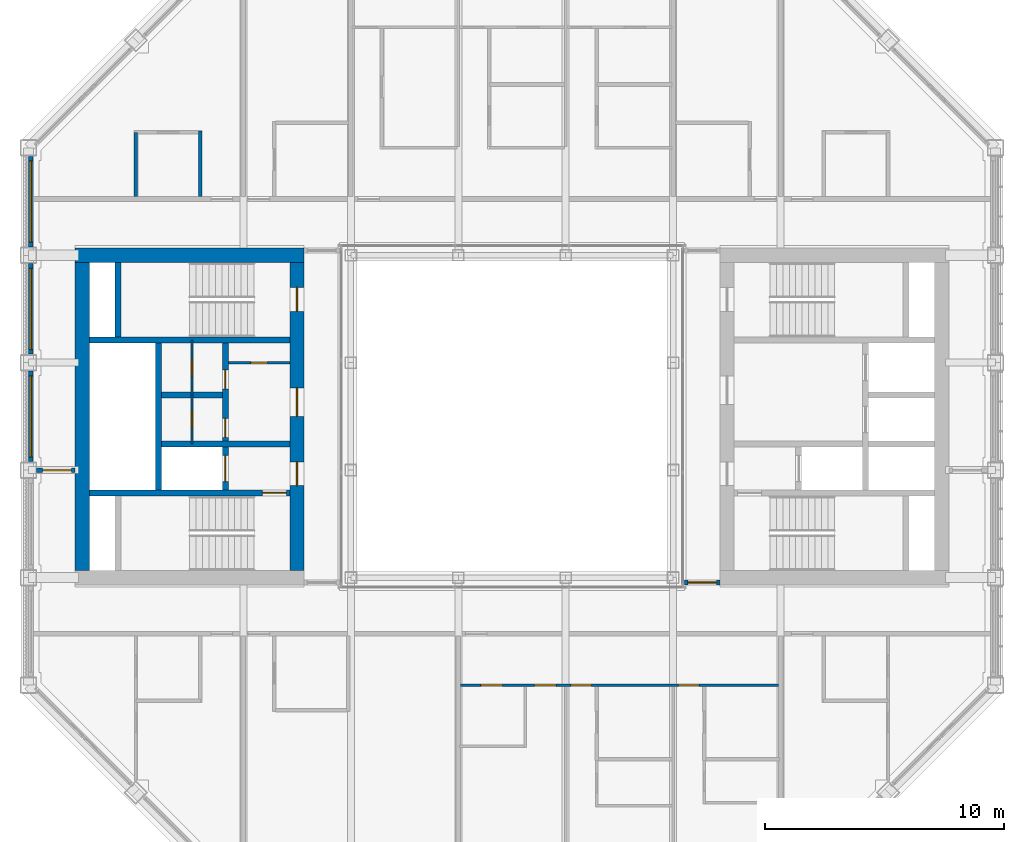
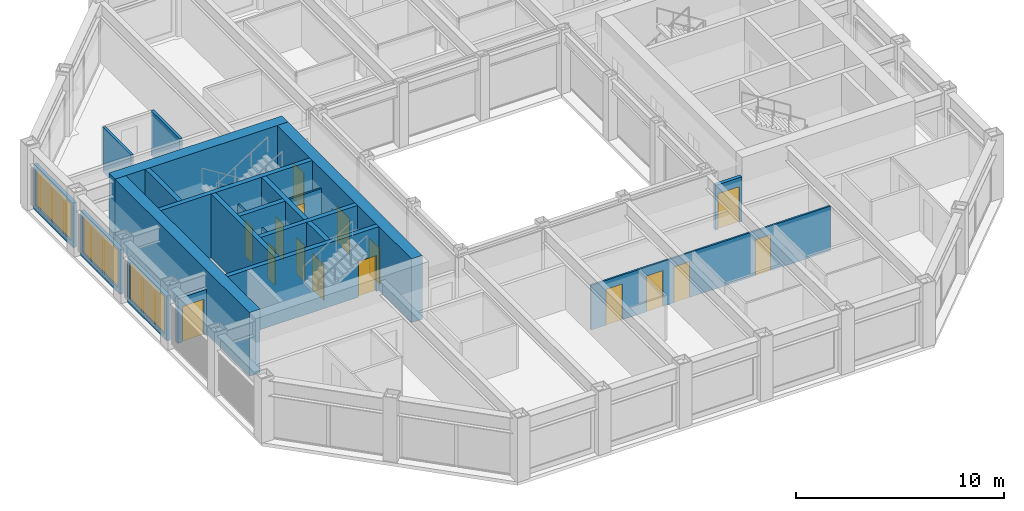
# One storey, part 10 of 17: 21 walls, 16 doors, 3 windows, 19 openings.
"""IFC4 building model written with IfcOpenShell, lengths in metres."""

from ifc_helpers import new_model, si_unit, direction, frame, frame_2d, origin, place, context, subcontext, project, spatial, rectangle, extrude, material, layer, layer_set, type_object, element, fill, save


model = new_model("IFC4")

# Units and contexts
model_context = context("Model", 3, precision=1e-05, world=origin(), true_north=direction((0.0, 1.0)))
body_context = subcontext(model_context, "Body", "Model", "MODEL_VIEW")
ifc_project = project(units=[si_unit("LENGTHUNIT", "METRE"), si_unit("AREAUNIT", "SQUARE_METRE"), si_unit("VOLUMEUNIT", "CUBIC_METRE"), si_unit("PLANEANGLEUNIT", "RADIAN"), si_unit("MASSUNIT", "GRAM", prefix="KILO")], contexts=[model_context])

# Site, building, storey
site_placement = place(None, origin())
site = spatial("IfcSite", under=ifc_project, at=site_placement, CompositionType="ELEMENT")
building_placement = place(site_placement, origin())
building = spatial("IfcBuilding", under=site, at=building_placement, Name="Msasa Ring Tower", CompositionType="ELEMENT")
storey_placement = place(building_placement, frame((0.0, 0.0, 234.550048828125)))
storey = spatial("IfcBuildingStorey", under=building, at=storey_placement, Name="L61", CompositionType="ELEMENT", Elevation=234.550048828125)

# Wall
ifc_material_1 = material(Name="Concrete C60/75", Category="concrete")
ifc_layer_1 = layer(ifc_material_1, 0.60009765625)
ifc_layer_set_1 = layer_set([ifc_layer_1], Name="CW3 CORE WALL 600")
wall_type_1 = type_object("IfcWallType", Name="CW3 CORE WALL 600", PredefinedType="SHEAR", material=ifc_layer_set_1)
wall_1_placement = place(storey_placement, frame((-8.699951171875, 6.75, 0.0), z_axis=(0.0, 0.0, 1.0), x_axis=(-1.0, 0.0, 0.0)))
element("IfcWall", 1, at=wall_1_placement, inside=storey, type_object=wall_type_1, Name="W core wall N L61", PredefinedType="SHEAR", context=body_context, shape_type="SweptSolid", body=[
    extrude(rectangle(XDim=9.60009765625, YDim=0.60009765625, at=frame_2d((4.800048828125, 0.0))), origin(), (0.0, 0.0, 1.0), 3.75),
])

# Wall, openings, doors
wall_2_placement = place(storey_placement, frame((-9.0, -6.449951171875, 0.0), z_axis=(0.0, 0.0, 1.0), x_axis=(0.0, 1.0, 0.0)))
wall_2 = element("IfcWall", 2, at=wall_2_placement, inside=storey, type_object=wall_type_1, Name="W core wall W L61", PredefinedType="SHEAR", context=body_context, shape_type="SweptSolid", body=[
    extrude(rectangle(XDim=12.89990234375, YDim=0.60009765625, at=frame_2d((6.449951171875, 0.0))), origin(), (0.0, 0.0, 1.0), 3.75),
])
opening_1_placement = place(wall_2_placement, frame((3.550048828125, 0.0, 0.0)))
opening_1 = element("IfcOpeningElement", 3, at=opening_1_placement, cuts=wall_2, Name="Opening SD-031", PredefinedType="OPENING", context=body_context, shape_type="SweptSolid", body=[
    extrude(rectangle(XDim=1.0, YDim=2.10009765625, at=frame_2d((0.5, 1.050048828125))), frame((0.0, 0.31005859375, 0.0), z_axis=(0.0, -1.0, 0.0), x_axis=(1.0, 0.0, 0.0)), (0.0, 0.0, 1.0), 0.6201171875),
])
opening_2_placement = place(wall_2_placement, frame((6.449951171875, 0.0, 0.0)))
opening_2 = element("IfcOpeningElement", 4, at=opening_2_placement, cuts=wall_2, Name="Opening SD-026", PredefinedType="OPENING", context=body_context, shape_type="SweptSolid", body=[
    extrude(rectangle(XDim=1.199951171875, YDim=2.10009765625, at=frame_2d((0.60009765625, 1.050048828125))), frame((0.0, 0.31005859375, 0.0), z_axis=(0.0, -1.0, 0.0), x_axis=(1.0, 0.0, 0.0)), (0.0, 0.0, 1.0), 0.6201171875),
])
opening_3_placement = place(wall_2_placement, frame((10.85009765625, 0.0, 0.0)))
opening_3 = element("IfcOpeningElement", 5, at=opening_3_placement, cuts=wall_2, Name="Opening SD-020", PredefinedType="OPENING", context=body_context, shape_type="SweptSolid", body=[
    extrude(rectangle(XDim=1.0, YDim=2.10009765625, at=frame_2d((0.5, 1.050048828125))), frame((0.0, 0.31005859375, 0.0), z_axis=(0.0, -1.0, 0.0), x_axis=(1.0, 0.0, 0.0)), (0.0, 0.0, 1.0), 0.6201171875),
])
ifc_material_2 = material(Name="Timber door leaf in a steel frame", Category="steel")
door_type_1 = type_object("IfcDoorType", Name="D4 LOBBY DOOR 1000x2100", OperationType="SINGLE_SWING_LEFT", PredefinedType="DOOR", material=ifc_material_2)
door_1_placement = place(opening_1_placement, origin())
door_1 = element("IfcDoor", 6, at=door_1_placement, inside=storey, type_object=door_type_1, Name="Door L61-WFFL", OperationType="SINGLE_SWING_LEFT", OverallHeight=2.10009765625, OverallWidth=1.0, PredefinedType="DOOR", context=body_context, shape_type="SweptSolid", body=[
    extrude(rectangle(XDim=1.0, YDim=2.10009765625, at=frame_2d((0.5, 1.050048828125))), frame((0.0, 0.02490234375, 0.0), z_axis=(0.0, -1.0, 0.0), x_axis=(1.0, 0.0, 0.0)), (0.0, 0.0, 1.0), 0.050048828125),
])
fill(opening_1, door_1)
ifc_material_3 = material(Name="Timber door leaf in a steel frame", Category="steel")
door_type_2 = type_object("IfcDoorType", Name="D5 WIDE LOBBY DOOR 1200x2100", OperationType="SINGLE_SWING_LEFT", PredefinedType="DOOR", material=ifc_material_3)
door_2_placement = place(opening_2_placement, origin())
door_2 = element("IfcDoor", 7, at=door_2_placement, inside=storey, type_object=door_type_2, Name="Door L61-WLL", OperationType="SINGLE_SWING_RIGHT", OverallHeight=2.10009765625, OverallWidth=1.199951171875, PredefinedType="DOOR", context=body_context, shape_type="SweptSolid", body=[
    extrude(rectangle(XDim=1.199951171875, YDim=2.10009765625, at=frame_2d((0.60009765625, 1.050048828125))), frame((0.0, 0.02490234375, 0.0), z_axis=(0.0, -1.0, 0.0), x_axis=(1.0, 0.0, 0.0)), (0.0, 0.0, 1.0), 0.050048828125),
])
fill(opening_2, door_2)
ifc_material_4 = material(Name="Timber door leaf in a steel frame", Category="steel")
door_type_3 = type_object("IfcDoorType", Name="D6 STAIR DOOR 1000x2100", OperationType="SINGLE_SWING_LEFT", PredefinedType="DOOR", material=ifc_material_4)
door_3_placement = place(opening_3_placement, origin())
door_3 = element("IfcDoor", 8, at=door_3_placement, inside=storey, type_object=door_type_3, Name="Door L61-WSTB", OperationType="SINGLE_SWING_RIGHT", OverallHeight=2.10009765625, OverallWidth=1.0, PredefinedType="DOOR", context=body_context, shape_type="SweptSolid", body=[
    extrude(rectangle(XDim=1.0, YDim=2.10009765625, at=frame_2d((0.5, 1.050048828125))), frame((0.0, 0.02490234375, 0.0), z_axis=(0.0, -1.0, 0.0), x_axis=(1.0, 0.0, 0.0)), (0.0, 0.0, 1.0), 0.050048828125),
])
fill(opening_3, door_3)

# Wall
wall_3_placement = place(storey_placement, frame((-18.0, -6.449951171875, 0.0), z_axis=(0.0, 0.0, 1.0), x_axis=(0.0, 1.0, 0.0)))
element("IfcWall", 9, at=wall_3_placement, inside=storey, type_object=wall_type_1, Name="W core wall E L61", PredefinedType="SHEAR", context=body_context, shape_type="SweptSolid", body=[
    extrude(rectangle(XDim=12.89990234375, YDim=0.60009765625, at=frame_2d((6.449951171875, 0.0))), origin(), (0.0, 0.0, 1.0), 3.75),
])

# Wall, opening, door
ifc_material_5 = material(Name="Concrete C60/75", Category="concrete")
ifc_layer_2 = layer(ifc_material_5, 0.25)
ifc_layer_set_2 = layer_set([ifc_layer_2], Name="CW4 CORE INNER WALL 250")
wall_type_2 = type_object("IfcWallType", Name="CW4 CORE INNER WALL 250", PredefinedType="SHEAR", material=ifc_layer_set_2)
wall_4_placement = place(storey_placement, frame((-9.300048828125, -3.199951171875, 0.0), z_axis=(0.0, 0.0, 1.0), x_axis=(-1.0, 0.0, 0.0)))
wall_4 = element("IfcWall", 10, at=wall_4_placement, inside=storey, type_object=wall_type_2, Name="W core wall STAIRA L61", PredefinedType="SHEAR", context=body_context, shape_type="SweptSolid", body=[
    extrude(rectangle(XDim=8.39990234375, YDim=0.25, at=frame_2d((4.199951171875, 0.0))), origin(), (0.0, 0.0, 1.0), 3.75),
])
opening_4_placement = place(wall_4_placement, frame((0.14990234375, 0.0, 0.0)))
opening_4 = element("IfcOpeningElement", 11, at=opening_4_placement, cuts=wall_4, Name="Opening SD-033", PredefinedType="OPENING", context=body_context, shape_type="SweptSolid", body=[
    extrude(rectangle(XDim=1.0, YDim=2.10009765625, at=frame_2d((0.5, 1.050048828125))), frame((0.0, 0.135009765625, 0.0), z_axis=(0.0, -1.0, 0.0), x_axis=(1.0, 0.0, 0.0)), (0.0, 0.0, 1.0), 0.27001953125),
])
door_4_placement = place(opening_4_placement, origin())
door_4 = element("IfcDoor", 12, at=door_4_placement, inside=storey, type_object=door_type_3, Name="Door L61-WSTA", OperationType="SINGLE_SWING_LEFT", OverallHeight=2.10009765625, OverallWidth=1.0, PredefinedType="DOOR", context=body_context, shape_type="SweptSolid", body=[
    extrude(rectangle(XDim=1.0, YDim=2.10009765625, at=frame_2d((0.5, 1.050048828125))), frame((0.0, 0.02490234375, 0.0), z_axis=(0.0, -1.0, 0.0), x_axis=(1.0, 0.0, 0.0)), (0.0, 0.0, 1.0), 0.050048828125),
])
fill(opening_4, door_4)

# Walls
wall_5_placement = place(storey_placement, frame((-9.300048828125, 3.199951171875, 0.0), z_axis=(0.0, 0.0, 1.0), x_axis=(-1.0, 0.0, 0.0)))
element("IfcWall", 13, at=wall_5_placement, inside=storey, type_object=wall_type_2, Name="W core wall STAIRB L61", PredefinedType="SHEAR", context=body_context, shape_type="SweptSolid", body=[
    extrude(rectangle(XDim=8.39990234375, YDim=0.25, at=frame_2d((4.199951171875, 0.0))), origin(), (0.0, 0.0, 1.0), 3.75),
])
wall_6_placement = place(storey_placement, frame((-16.5, 3.324951171875, 0.0), z_axis=(0.0, 0.0, 1.0), x_axis=(0.0, 1.0, 0.0)))
element("IfcWall", 14, at=wall_6_placement, inside=storey, type_object=wall_type_2, Name="W core wall RISERB L61", PredefinedType="SHEAR", context=body_context, shape_type="SweptSolid", body=[
    extrude(rectangle(XDim=3.125, YDim=0.25, at=frame_2d((1.5625, 0.0))), origin(), (0.0, 0.0, 1.0), 3.75),
])
wall_7_placement = place(storey_placement, frame((-9.300048828125, -1.14990234375, 0.0), z_axis=(0.0, 0.0, 1.0), x_axis=(-1.0, 0.0, 0.0)))
element("IfcWall", 15, at=wall_7_placement, inside=storey, type_object=wall_type_2, Name="W core wall FFL L61", PredefinedType="SHEAR", context=body_context, shape_type="SweptSolid", body=[
    extrude(rectangle(XDim=5.375, YDim=0.25, at=frame_2d((2.6875, 0.0))), origin(), (0.0, 0.0, 1.0), 3.75),
])

# Wall, openings, doors
wall_8_placement = place(storey_placement, frame((-12.0, -3.074951171875, 0.0), z_axis=(0.0, 0.0, 1.0), x_axis=(0.0, 1.0, 0.0)))
wall_8 = element("IfcWall", 16, at=wall_8_placement, inside=storey, type_object=wall_type_2, Name="W core wall LOBBY L61", PredefinedType="SHEAR", context=body_context, shape_type="SweptSolid", body=[
    extrude(rectangle(XDim=6.14990234375, YDim=0.25, at=frame_2d((3.074951171875, 0.0))), origin(), (0.0, 0.0, 1.0), 3.75),
])
opening_5_placement = place(wall_8_placement, frame((2.199951171875, 0.0, 0.0)))
opening_5 = element("IfcOpeningElement", 17, at=opening_5_placement, cuts=wall_8, Name="Opening SD-028", PredefinedType="OPENING", context=body_context, shape_type="SweptSolid", body=[
    extrude(rectangle(XDim=0.800048828125, YDim=2.10009765625, at=frame_2d((0.39990234375, 1.050048828125))), frame((0.0, 0.135009765625, 0.0), z_axis=(0.0, -1.0, 0.0), x_axis=(1.0, 0.0, 0.0)), (0.0, 0.0, 1.0), 0.27001953125),
])
opening_6_placement = place(wall_8_placement, frame((4.22509765625, 0.0, 0.0)))
opening_6 = element("IfcOpeningElement", 18, at=opening_6_placement, cuts=wall_8, Name="Opening SD-024", PredefinedType="OPENING", context=body_context, shape_type="SweptSolid", body=[
    extrude(rectangle(XDim=0.800048828125, YDim=2.10009765625, at=frame_2d((0.39990234375, 1.050048828125))), frame((0.0, 0.135009765625, 0.0), z_axis=(0.0, -1.0, 0.0), x_axis=(1.0, 0.0, 0.0)), (0.0, 0.0, 1.0), 0.27001953125),
])
opening_7_placement = place(wall_8_placement, frame((0.35009765625, 0.0, 0.0)))
opening_7 = element("IfcOpeningElement", 19, at=opening_7_placement, cuts=wall_8, Name="Opening LD1", PredefinedType="OPENING", context=body_context, shape_type="SweptSolid", body=[
    extrude(rectangle(XDim=1.10009765625, YDim=2.10009765625, at=frame_2d((0.550048828125, 1.050048828125))), frame((0.0, 0.135009765625, 0.0), z_axis=(0.0, -1.0, 0.0), x_axis=(1.0, 0.0, 0.0)), (0.0, 0.0, 1.0), 0.27001953125),
])
ifc_material_6 = material(Name="Timber door leaf in a steel frame", Category="steel")
door_type_4 = type_object("IfcDoorType", Name="D9 NARROW SERVICE DOOR 800x2100", OperationType="SINGLE_SWING_LEFT", PredefinedType="DOOR", material=ifc_material_6)
door_5_placement = place(opening_5_placement, origin())
door_5 = element("IfcDoor", 20, at=door_5_placement, inside=storey, type_object=door_type_4, Name="Door L61-WR1", OperationType="SINGLE_SWING_LEFT", OverallHeight=2.10009765625, OverallWidth=0.800048828125, PredefinedType="DOOR", context=body_context, shape_type="SweptSolid", body=[
    extrude(rectangle(XDim=0.800048828125, YDim=2.10009765625, at=frame_2d((0.39990234375, 1.050048828125))), frame((0.0, 0.02490234375, 0.0), z_axis=(0.0, -1.0, 0.0), x_axis=(1.0, 0.0, 0.0)), (0.0, 0.0, 1.0), 0.050048828125),
])
fill(opening_5, door_5)
door_6_placement = place(opening_6_placement, origin())
door_6 = element("IfcDoor", 21, at=door_6_placement, inside=storey, type_object=door_type_4, Name="Door L61-WR2", OperationType="SINGLE_SWING_RIGHT", OverallHeight=2.10009765625, OverallWidth=0.800048828125, PredefinedType="DOOR", context=body_context, shape_type="SweptSolid", body=[
    extrude(rectangle(XDim=0.800048828125, YDim=2.10009765625, at=frame_2d((0.39990234375, 1.050048828125))), frame((0.0, 0.02490234375, 0.0), z_axis=(0.0, -1.0, 0.0), x_axis=(1.0, 0.0, 0.0)), (0.0, 0.0, 1.0), 0.050048828125),
])
fill(opening_6, door_6)
ifc_material_7 = material(Name="Stainless steel lift landing door", Category="steel")
door_type_5 = type_object("IfcDoorType", Name="LD1 LIFT LANDING DOOR 1100x2100", OperationType="DOUBLE_DOOR_SLIDING", PredefinedType="DOOR", material=ifc_material_7)
door_7_placement = place(opening_7_placement, origin())
door_7 = element("IfcDoor", 22, at=door_7_placement, inside=storey, type_object=door_type_5, Name="Lift landing door FL-W L61", OperationType="DOUBLE_DOOR_SLIDING", OverallHeight=2.10009765625, OverallWidth=1.10009765625, PredefinedType="DOOR", context=body_context, shape_type="SweptSolid", body=[
    extrude(rectangle(XDim=1.10009765625, YDim=2.10009765625, at=frame_2d((0.550048828125, 1.050048828125))), frame((0.0, 0.02490234375, 0.0), z_axis=(0.0, -1.0, 0.0), x_axis=(1.0, 0.0, 0.0)), (0.0, 0.0, 1.0), 0.050048828125),
])
fill(opening_7, door_7)

# Walls
wall_9_placement = place(storey_placement, frame((-14.800048828125, -3.074951171875, 0.0), z_axis=(0.0, 0.0, 1.0), x_axis=(0.0, 1.0, 0.0)))
element("IfcWall", 23, at=wall_9_placement, inside=storey, type_object=wall_type_2, Name="W core wall SHAFT L61", PredefinedType="SHEAR", context=body_context, shape_type="SweptSolid", body=[
    extrude(rectangle(XDim=6.14990234375, YDim=0.25, at=frame_2d((3.074951171875, 0.0))), origin(), (0.0, 0.0, 1.0), 3.75),
])
wall_10_placement = place(storey_placement, frame((-12.125, 0.89990234375, 0.0), z_axis=(0.0, 0.0, 1.0), x_axis=(-1.0, 0.0, 0.0)))
element("IfcWall", 24, at=wall_10_placement, inside=storey, type_object=wall_type_2, Name="W core wall LIFT1 L61", PredefinedType="SHEAR", context=body_context, shape_type="SweptSolid", body=[
    extrude(rectangle(XDim=2.550048828125, YDim=0.25, at=frame_2d((1.27490234375, 0.0))), origin(), (0.0, 0.0, 1.0), 3.75),
])

# Wall, opening, window
ifc_material_8 = material(Name="Terracotta rainscreen on blockwork", Category="masonry")
ifc_layer_3 = layer(ifc_material_8, 0.199951171875)
ifc_layer_set_3 = layer_set([ifc_layer_3], Name="FW1 TERRACOTTA-LINED INFILL BAY WALL 200")
wall_type_3 = type_object("IfcWallType", Name="FW1 TERRACOTTA-LINED INFILL BAY WALL 200", PredefinedType="SOLIDWALL", material=ifc_layer_set_3)
wall_11_placement = place(storey_placement, frame((-20.14990234375, -1.89501953125, 0.0), z_axis=(0.0, 0.0, 1.0), x_axis=(0.0, 1.0, 0.0)))
wall_11 = element("IfcWall", 25, at=wall_11_placement, inside=storey, type_object=wall_type_3, Name="Infill bay wall W L61 23", PredefinedType="SOLIDWALL", context=body_context, shape_type="SweptSolid", body=[
    extrude(rectangle(XDim=3.7900390625, YDim=0.199951171875, at=frame_2d((1.89501953125, 0.0))), origin(), (0.0, 0.0, 1.0), 2.62890625),
])
opening_8_placement = place(wall_11_placement, frame((0.195068359375, 0.0, 0.300048828125)))
opening_8 = element("IfcOpeningElement", 26, at=opening_8_placement, cuts=wall_11, Name="Opening WN3", PredefinedType="OPENING", context=body_context, shape_type="SweptSolid", body=[
    extrude(rectangle(XDim=3.39990234375, YDim=2.178955078125, at=frame_2d((1.699951171875, 1.08935546875))), frame((0.0, 0.10986328125, 0.0), z_axis=(0.0, -1.0, 0.0), x_axis=(1.0, 0.0, 0.0)), (0.0, 0.0, 1.0), 0.219970703125),
])
ifc_material_9 = material(Name="Aluminium frame with clear glass", Category="aluminium")
window_type = type_object("IfcWindowType", Name="WN3 SUITE WINDOW 3400x2179", PartitioningType="SINGLE_PANEL", PredefinedType="WINDOW", material=ifc_material_9)
window_1_placement = place(opening_8_placement, origin())
window_1 = element("IfcWindow", 27, at=window_1_placement, inside=storey, type_object=window_type, Name="Window W L61 23", OverallHeight=2.178955078125, OverallWidth=3.39990234375, PartitioningType="SINGLE_PANEL", PredefinedType="WINDOW", context=body_context, shape_type="SweptSolid", body=[
    extrude(rectangle(XDim=3.39990234375, YDim=2.178955078125, at=frame_2d((1.699951171875, 1.08935546875))), frame((0.0, 0.030029296875, 0.0), z_axis=(0.0, -1.0, 0.0), x_axis=(1.0, 0.0, 0.0)), (0.0, 0.0, 1.0), 0.06005859375),
])
fill(opening_8, window_1)

wall_12_placement = place(storey_placement, frame((-20.14990234375, 2.60498046875, 0.0), z_axis=(0.0, 0.0, 1.0), x_axis=(0.0, 1.0, 0.0)))
wall_12 = element("IfcWall", 28, at=wall_12_placement, inside=storey, type_object=wall_type_3, Name="Infill bay wall W L61 24", PredefinedType="SOLIDWALL", context=body_context, shape_type="SweptSolid", body=[
    extrude(rectangle(XDim=3.7900390625, YDim=0.199951171875, at=frame_2d((1.89501953125, 0.0))), origin(), (0.0, 0.0, 1.0), 2.62890625),
])
opening_9_placement = place(wall_12_placement, frame((0.195068359375, 0.0, 0.300048828125)))
opening_9 = element("IfcOpeningElement", 29, at=opening_9_placement, cuts=wall_12, Name="Opening WN3", PredefinedType="OPENING", context=body_context, shape_type="SweptSolid", body=[
    extrude(rectangle(XDim=3.39990234375, YDim=2.178955078125, at=frame_2d((1.699951171875, 1.08935546875))), frame((0.0, 0.10986328125, 0.0), z_axis=(0.0, -1.0, 0.0), x_axis=(1.0, 0.0, 0.0)), (0.0, 0.0, 1.0), 0.219970703125),
])
window_2_placement = place(opening_9_placement, origin())
window_2 = element("IfcWindow", 30, at=window_2_placement, inside=storey, type_object=window_type, Name="Window W L61 24", OverallHeight=2.178955078125, OverallWidth=3.39990234375, PartitioningType="SINGLE_PANEL", PredefinedType="WINDOW", context=body_context, shape_type="SweptSolid", body=[
    extrude(rectangle(XDim=3.39990234375, YDim=2.178955078125, at=frame_2d((1.699951171875, 1.08935546875))), frame((0.0, 0.030029296875, 0.0), z_axis=(0.0, -1.0, 0.0), x_axis=(1.0, 0.0, 0.0)), (0.0, 0.0, 1.0), 0.06005859375),
])
fill(opening_9, window_2)

wall_13_placement = place(storey_placement, frame((-20.14990234375, 7.10498046875, 0.0), z_axis=(0.0, 0.0, 1.0), x_axis=(0.0, 1.0, 0.0)))
wall_13 = element("IfcWall", 31, at=wall_13_placement, inside=storey, type_object=wall_type_3, Name="Infill bay wall W L61 25", PredefinedType="SOLIDWALL", context=body_context, shape_type="SweptSolid", body=[
    extrude(rectangle(XDim=3.7900390625, YDim=0.199951171875, at=frame_2d((1.89501953125, 0.0))), origin(), (0.0, 0.0, 1.0), 2.62890625),
])
opening_10_placement = place(wall_13_placement, frame((0.195068359375, 0.0, 0.300048828125)))
opening_10 = element("IfcOpeningElement", 32, at=opening_10_placement, cuts=wall_13, Name="Opening WN3", PredefinedType="OPENING", context=body_context, shape_type="SweptSolid", body=[
    extrude(rectangle(XDim=3.39990234375, YDim=2.178955078125, at=frame_2d((1.699951171875, 1.08935546875))), frame((0.0, 0.10986328125, 0.0), z_axis=(0.0, -1.0, 0.0), x_axis=(1.0, 0.0, 0.0)), (0.0, 0.0, 1.0), 0.219970703125),
])
window_3_placement = place(opening_10_placement, origin())
window_3 = element("IfcWindow", 33, at=window_3_placement, inside=storey, type_object=window_type, Name="Window W L61 25", OverallHeight=2.178955078125, OverallWidth=3.39990234375, PartitioningType="SINGLE_PANEL", PredefinedType="WINDOW", context=body_context, shape_type="SweptSolid", body=[
    extrude(rectangle(XDim=3.39990234375, YDim=2.178955078125, at=frame_2d((1.699951171875, 1.08935546875))), frame((0.0, 0.030029296875, 0.0), z_axis=(0.0, -1.0, 0.0), x_axis=(1.0, 0.0, 0.0)), (0.0, 0.0, 1.0), 0.06005859375),
])
fill(opening_10, window_3)

# Wall, opening, door
ifc_material_10 = material(Name="Concrete blockwork", Category="masonry")
ifc_layer_4 = layer(ifc_material_10, 0.199951171875)
ifc_layer_set_4 = layer_set([ifc_layer_4], Name="PT1 CORRIDOR WALL 200")
wall_type_4 = type_object("IfcWallType", Name="PT1 CORRIDOR WALL 200", PredefinedType="PARTITIONING", material=ifc_layer_set_4)
wall_14_placement = place(storey_placement, frame((-19.89990234375, -2.25, 0.0), z_axis=(0.0, 0.0, 1.0), x_axis=(1.0, 0.0, 0.0)))
wall_14 = element("IfcWall", 34, at=wall_14_placement, inside=storey, type_object=wall_type_4, Name="Corridor wall L61-WSW", PredefinedType="PARTITIONING", context=body_context, shape_type="SweptSolid", body=[
    extrude(rectangle(XDim=1.599853515625, YDim=0.199951171875, at=frame_2d((0.7998046875, 0.0))), origin(), (0.0, 0.0, 1.0), 2.62890625),
])
opening_11_placement = place(wall_14_placement, frame((0.25, 0.0, 0.0)))
opening_11 = element("IfcOpeningElement", 35, at=opening_11_placement, cuts=wall_14, Name="Opening SD-029", PredefinedType="OPENING", context=body_context, shape_type="SweptSolid", body=[
    extrude(rectangle(XDim=1.199951171875, YDim=2.10009765625, at=frame_2d((0.60009765625, 1.050048828125))), frame((0.0, 0.10986328125, 0.0), z_axis=(0.0, -1.0, 0.0), x_axis=(1.0, 0.0, 0.0)), (0.0, 0.0, 1.0), 0.219970703125),
])
ifc_material_11 = material(Name="Timber door leaf in a steel frame", Category="steel")
door_type_6 = type_object("IfcDoorType", Name="D25 CORRIDOR PAIR OF SMOKE DOORS 1200x2100", OperationType="DOUBLE_DOOR_DOUBLE_SWING", PredefinedType="DOOR", material=ifc_material_11)
door_8_placement = place(opening_11_placement, origin())
door_8 = element("IfcDoor", 36, at=door_8_placement, inside=storey, type_object=door_type_6, Name="Door L61-WSW", OperationType="DOUBLE_DOOR_DOUBLE_SWING", OverallHeight=2.10009765625, OverallWidth=1.199951171875, PredefinedType="DOOR", context=body_context, shape_type="SweptSolid", body=[
    extrude(rectangle(XDim=1.199951171875, YDim=2.10009765625, at=frame_2d((0.60009765625, 1.050048828125))), frame((0.0, 0.02490234375, 0.0), z_axis=(0.0, -1.0, 0.0), x_axis=(1.0, 0.0, 0.0)), (0.0, 0.0, 1.0), 0.050048828125),
])
fill(opening_11, door_8)

wall_15_placement = place(storey_placement, frame((7.22998046875, -6.949951171875, 0.0), z_axis=(0.0, 0.0, 1.0), x_axis=(1.0, 0.0, 0.0)))
wall_15 = element("IfcWall", 37, at=wall_15_placement, inside=storey, type_object=wall_type_4, Name="Corridor wall L61-SDES", PredefinedType="PARTITIONING", context=body_context, shape_type="SweptSolid", body=[
    extrude(rectangle(XDim=1.469970703125, YDim=0.199951171875, at=frame_2d((0.73486328125, 0.0))), origin(), (0.0, 0.0, 1.0), 2.62890625),
])
opening_12_placement = place(wall_15_placement, frame((0.135009765625, 0.0, 0.0)))
opening_12 = element("IfcOpeningElement", 38, at=opening_12_placement, cuts=wall_15, Name="Opening SD-036", PredefinedType="OPENING", context=body_context, shape_type="SweptSolid", body=[
    extrude(rectangle(XDim=1.199951171875, YDim=2.10009765625, at=frame_2d((0.60009765625, 1.050048828125))), frame((0.0, 0.10986328125, 0.0), z_axis=(0.0, -1.0, 0.0), x_axis=(1.0, 0.0, 0.0)), (0.0, 0.0, 1.0), 0.219970703125),
])
door_9_placement = place(opening_12_placement, origin())
door_9 = element("IfcDoor", 39, at=door_9_placement, inside=storey, type_object=door_type_6, Name="Door L61-SDES", OperationType="DOUBLE_DOOR_DOUBLE_SWING", OverallHeight=2.10009765625, OverallWidth=1.199951171875, PredefinedType="DOOR", context=body_context, shape_type="SweptSolid", body=[
    extrude(rectangle(XDim=1.199951171875, YDim=2.10009765625, at=frame_2d((0.60009765625, 1.050048828125))), frame((0.0, 0.02490234375, 0.0), z_axis=(0.0, -1.0, 0.0), x_axis=(1.0, 0.0, 0.0)), (0.0, 0.0, 1.0), 0.050048828125),
])
fill(opening_12, door_9)

# Wall, openings, doors
ifc_material_12 = material(Name="Gypsum board on steel studs", Category="steel")
ifc_layer_5 = layer(ifc_material_12, 0.10009765625)
ifc_layer_set_5 = layer_set([ifc_layer_5], Name="PT2 STUD PARTITION 100")
wall_type_5 = type_object("IfcWallType", Name="PT2 STUD PARTITION 100", PredefinedType="PARTITIONING", material=ifc_layer_set_5)
wall_16_placement = place(storey_placement, frame((-2.14990234375, -11.25, 0.0), z_axis=(0.0, 0.0, 1.0), x_axis=(1.0, 0.0, 0.0)))
wall_16 = element("IfcWall", 40, at=wall_16_placement, inside=storey, type_object=wall_type_5, Name="Partition L61-JS01HY", PredefinedType="PARTITIONING", context=body_context, shape_type="SweptSolid", body=[
    extrude(rectangle(XDim=13.2998046875, YDim=0.10009765625, at=frame_2d((6.64990234375, 0.0))), origin(), (0.0, 0.0, 1.0), 2.62890625),
])
opening_13_placement = place(wall_16_placement, frame((0.85009765625, 0.0, 0.0)))
opening_13 = element("IfcOpeningElement", 41, at=opening_13_placement, cuts=wall_16, Name="Opening SD-044", PredefinedType="OPENING", context=body_context, shape_type="SweptSolid", body=[
    extrude(rectangle(XDim=0.89990234375, YDim=2.10009765625, at=frame_2d((0.449951171875, 1.050048828125))), frame((0.0, 0.06005859375, 0.0), z_axis=(0.0, -1.0, 0.0), x_axis=(1.0, 0.0, 0.0)), (0.0, 0.0, 1.0), 0.1201171875),
])
opening_14_placement = place(wall_16_placement, frame((3.10009765625, 0.0, 0.0)))
opening_14 = element("IfcOpeningElement", 42, at=opening_14_placement, cuts=wall_16, Name="Opening SD-045", PredefinedType="OPENING", context=body_context, shape_type="SweptSolid", body=[
    extrude(rectangle(XDim=0.89990234375, YDim=2.10009765625, at=frame_2d((0.449951171875, 1.050048828125))), frame((0.0, 0.06005859375, 0.0), z_axis=(0.0, -1.0, 0.0), x_axis=(1.0, 0.0, 0.0)), (0.0, 0.0, 1.0), 0.1201171875),
])
opening_15_placement = place(wall_16_placement, frame((4.625, 0.0, 0.0)))
opening_15 = element("IfcOpeningElement", 43, at=opening_15_placement, cuts=wall_16, Name="Opening SD-046", PredefinedType="OPENING", context=body_context, shape_type="SweptSolid", body=[
    extrude(rectangle(XDim=0.85009765625, YDim=2.10009765625, at=frame_2d((0.425048828125, 1.050048828125))), frame((0.0, 0.06005859375, 0.0), z_axis=(0.0, -1.0, 0.0), x_axis=(1.0, 0.0, 0.0)), (0.0, 0.0, 1.0), 0.1201171875),
])
opening_16_placement = place(wall_16_placement, frame((9.125, 0.0, 0.0)))
opening_16 = element("IfcOpeningElement", 44, at=opening_16_placement, cuts=wall_16, Name="Opening SD-047", PredefinedType="OPENING", context=body_context, shape_type="SweptSolid", body=[
    extrude(rectangle(XDim=0.85009765625, YDim=2.10009765625, at=frame_2d((0.425048828125, 1.050048828125))), frame((0.0, 0.06005859375, 0.0), z_axis=(0.0, -1.0, 0.0), x_axis=(1.0, 0.0, 0.0)), (0.0, 0.0, 1.0), 0.1201171875),
])
ifc_material_13 = material(Name="Timber door leaf in a steel frame", Category="steel")
door_type_7 = type_object("IfcDoorType", Name="D14 BEDROOM DOOR 850x2100", OperationType="SINGLE_SWING_LEFT", PredefinedType="DOOR", material=ifc_material_13)
door_10_placement = place(opening_15_placement, origin())
door_10 = element("IfcDoor", 45, at=door_10_placement, inside=storey, type_object=door_type_7, Name="Door L61-JS01R1", OperationType="SINGLE_SWING_LEFT", OverallHeight=2.10009765625, OverallWidth=0.85009765625, PredefinedType="DOOR", context=body_context, shape_type="SweptSolid", body=[
    extrude(rectangle(XDim=0.85009765625, YDim=2.10009765625, at=frame_2d((0.425048828125, 1.050048828125))), frame((0.0, 0.02490234375, 0.0), z_axis=(0.0, -1.0, 0.0), x_axis=(1.0, 0.0, 0.0)), (0.0, 0.0, 1.0), 0.050048828125),
])
fill(opening_15, door_10)
door_11_placement = place(opening_16_placement, origin())
door_11 = element("IfcDoor", 46, at=door_11_placement, inside=storey, type_object=door_type_7, Name="Door L61-JS01R2", OperationType="SINGLE_SWING_RIGHT", OverallHeight=2.10009765625, OverallWidth=0.85009765625, PredefinedType="DOOR", context=body_context, shape_type="SweptSolid", body=[
    extrude(rectangle(XDim=0.85009765625, YDim=2.10009765625, at=frame_2d((0.425048828125, 1.050048828125))), frame((0.0, 0.02490234375, 0.0), z_axis=(0.0, -1.0, 0.0), x_axis=(1.0, 0.0, 0.0)), (0.0, 0.0, 1.0), 0.050048828125),
])
fill(opening_16, door_11)
ifc_material_14 = material(Name="Timber door leaf in a steel frame", Category="steel")
door_type_8 = type_object("IfcDoorType", Name="D22 INTERNAL HALL DOOR 900x2100", OperationType="SINGLE_SWING_LEFT", PredefinedType="DOOR", material=ifc_material_14)
door_12_placement = place(opening_13_placement, origin())
door_12 = element("IfcDoor", 47, at=door_12_placement, inside=storey, type_object=door_type_8, Name="Door L61-JS01K", OperationType="SINGLE_SWING_LEFT", OverallHeight=2.10009765625, OverallWidth=0.89990234375, PredefinedType="DOOR", context=body_context, shape_type="SweptSolid", body=[
    extrude(rectangle(XDim=0.89990234375, YDim=2.10009765625, at=frame_2d((0.449951171875, 1.050048828125))), frame((0.0, 0.02490234375, 0.0), z_axis=(0.0, -1.0, 0.0), x_axis=(1.0, 0.0, 0.0)), (0.0, 0.0, 1.0), 0.050048828125),
])
fill(opening_13, door_12)
door_13_placement = place(opening_14_placement, origin())
door_13 = element("IfcDoor", 48, at=door_13_placement, inside=storey, type_object=door_type_8, Name="Door L61-JS01L", OperationType="SINGLE_SWING_LEFT", OverallHeight=2.10009765625, OverallWidth=0.89990234375, PredefinedType="DOOR", context=body_context, shape_type="SweptSolid", body=[
    extrude(rectangle(XDim=0.89990234375, YDim=2.10009765625, at=frame_2d((0.449951171875, 1.050048828125))), frame((0.0, 0.02490234375, 0.0), z_axis=(0.0, -1.0, 0.0), x_axis=(1.0, 0.0, 0.0)), (0.0, 0.0, 1.0), 0.050048828125),
])
fill(opening_14, door_13)

# Wall, opening, door
wall_17_placement = place(storey_placement, frame((-11.875, 2.25, 0.0), z_axis=(0.0, 0.0, 1.0), x_axis=(1.0, 0.0, 0.0)))
wall_17 = element("IfcWall", 49, at=wall_17_placement, inside=storey, type_object=wall_type_5, Name="Partition L61-WCP", PredefinedType="PARTITIONING", context=body_context, shape_type="SweptSolid", body=[
    extrude(rectangle(XDim=2.574951171875, YDim=0.10009765625, at=frame_2d((1.28759765625, 0.0))), origin(), (0.0, 0.0, 1.0), 2.62890625),
])
opening_17_placement = place(wall_17_placement, frame((0.9375, 0.0, 0.0)))
opening_17 = element("IfcOpeningElement", 50, at=opening_17_placement, cuts=wall_17, Name="Opening SD-022", PredefinedType="OPENING", context=body_context, shape_type="SweptSolid", body=[
    extrude(rectangle(XDim=0.699951171875, YDim=2.10009765625, at=frame_2d((0.35009765625, 1.050048828125))), frame((0.0, 0.06005859375, 0.0), z_axis=(0.0, -1.0, 0.0), x_axis=(1.0, 0.0, 0.0)), (0.0, 0.0, 1.0), 0.1201171875),
])
ifc_material_15 = material(Name="Timber door leaf in a steel frame", Category="steel")
door_type_9 = type_object("IfcDoorType", Name="D32 INTERNAL NARROW STORE DOOR 700x2100", OperationType="SINGLE_SWING_LEFT", PredefinedType="DOOR", material=ifc_material_15)
door_14_placement = place(opening_17_placement, origin())
door_14 = element("IfcDoor", 51, at=door_14_placement, inside=storey, type_object=door_type_9, Name="Door L61-WCP", OperationType="SINGLE_SWING_LEFT", OverallHeight=2.10009765625, OverallWidth=0.699951171875, PredefinedType="DOOR", context=body_context, shape_type="SweptSolid", body=[
    extrude(rectangle(XDim=0.699951171875, YDim=2.10009765625, at=frame_2d((0.35009765625, 1.050048828125))), frame((0.0, 0.02490234375, 0.0), z_axis=(0.0, -1.0, 0.0), x_axis=(1.0, 0.0, 0.0)), (0.0, 0.0, 1.0), 0.050048828125),
])
fill(opening_17, door_14)

wall_18_placement = place(storey_placement, frame((-13.39990234375, -1.14990234375, 0.0), z_axis=(0.0, 0.0, 1.0), x_axis=(0.0, 1.0, 0.0)))
wall_18 = element("IfcWall", 52, at=wall_18_placement, inside=storey, type_object=wall_type_5, Name="Partition L61-WRP1", PredefinedType="PARTITIONING", context=body_context, shape_type="SweptSolid", body=[
    extrude(rectangle(XDim=2.0498046875, YDim=0.10009765625, at=frame_2d((1.02490234375, 0.0))), origin(), (0.0, 0.0, 1.0), 2.62890625),
])
opening_18_placement = place(wall_18_placement, frame((0.675048828125, 0.0, 0.0)))
opening_18 = element("IfcOpeningElement", 53, at=opening_18_placement, cuts=wall_18, Name="Opening SD-027", PredefinedType="OPENING", context=body_context, shape_type="SweptSolid", body=[
    extrude(rectangle(XDim=0.699951171875, YDim=2.10009765625, at=frame_2d((0.35009765625, 1.050048828125))), frame((0.0, 0.06005859375, 0.0), z_axis=(0.0, -1.0, 0.0), x_axis=(1.0, 0.0, 0.0)), (0.0, 0.0, 1.0), 0.1201171875),
])
door_15_placement = place(opening_18_placement, origin())
door_15 = element("IfcDoor", 54, at=door_15_placement, inside=storey, type_object=door_type_9, Name="Door L61-WRC1", OperationType="SINGLE_SWING_LEFT", OverallHeight=2.10009765625, OverallWidth=0.699951171875, PredefinedType="DOOR", context=body_context, shape_type="SweptSolid", body=[
    extrude(rectangle(XDim=0.699951171875, YDim=2.10009765625, at=frame_2d((0.35009765625, 1.050048828125))), frame((0.0, 0.02490234375, 0.0), z_axis=(0.0, -1.0, 0.0), x_axis=(1.0, 0.0, 0.0)), (0.0, 0.0, 1.0), 0.050048828125),
])
fill(opening_18, door_15)

wall_19_placement = place(storey_placement, frame((-13.39990234375, 0.89990234375, 0.0), z_axis=(0.0, 0.0, 1.0), x_axis=(0.0, 1.0, 0.0)))
wall_19 = element("IfcWall", 55, at=wall_19_placement, inside=storey, type_object=wall_type_5, Name="Partition L61-WRP2", PredefinedType="PARTITIONING", context=body_context, shape_type="SweptSolid", body=[
    extrude(rectangle(XDim=2.300048828125, YDim=0.10009765625, at=frame_2d((1.14990234375, 0.0))), origin(), (0.0, 0.0, 1.0), 2.62890625),
])
opening_19_placement = place(wall_19_placement, frame((0.800048828125, 0.0, 0.0)))
opening_19 = element("IfcOpeningElement", 56, at=opening_19_placement, cuts=wall_19, Name="Opening SD-023", PredefinedType="OPENING", context=body_context, shape_type="SweptSolid", body=[
    extrude(rectangle(XDim=0.699951171875, YDim=2.10009765625, at=frame_2d((0.35009765625, 1.050048828125))), frame((0.0, 0.06005859375, 0.0), z_axis=(0.0, -1.0, 0.0), x_axis=(1.0, 0.0, 0.0)), (0.0, 0.0, 1.0), 0.1201171875),
])
door_16_placement = place(opening_19_placement, origin())
door_16 = element("IfcDoor", 57, at=door_16_placement, inside=storey, type_object=door_type_9, Name="Door L61-WRC2", OperationType="SINGLE_SWING_LEFT", OverallHeight=2.10009765625, OverallWidth=0.699951171875, PredefinedType="DOOR", context=body_context, shape_type="SweptSolid", body=[
    extrude(rectangle(XDim=0.699951171875, YDim=2.10009765625, at=frame_2d((0.35009765625, 1.050048828125))), frame((0.0, 0.02490234375, 0.0), z_axis=(0.0, -1.0, 0.0), x_axis=(1.0, 0.0, 0.0)), (0.0, 0.0, 1.0), 0.050048828125),
])
fill(opening_19, door_16)

# Walls
ifc_material_16 = material(Name="Moisture-resistant board on steel studs with a concealed cistern and pipe void, tiled", Category="steel")
ifc_layer_6 = layer(ifc_material_16, 0.14990234375)
ifc_layer_set_6 = layer_set([ifc_layer_6], Name="PT4 BATHROOM WET WALL 150")
wall_type_6 = type_object("IfcWallType", Name="PT4 BATHROOM WET WALL 150", PredefinedType="PARTITIONING", material=ifc_layer_set_6)
wall_20_placement = place(storey_placement, frame((-13.050048828125, 9.199951171875, 0.0), z_axis=(0.0, 0.0, 1.0), x_axis=(0.0, 1.0, 0.0)))
element("IfcWall", 58, at=wall_20_placement, inside=storey, type_object=wall_type_6, Name="Partition L61-CSNWBX", PredefinedType="PARTITIONING", context=body_context, shape_type="SweptSolid", body=[
    extrude(rectangle(XDim=2.75, YDim=0.14990234375, at=frame_2d((1.375, 0.0))), origin(), (0.0, 0.0, 1.0), 2.62890625),
])
wall_21_placement = place(storey_placement, frame((-15.75, 9.199951171875, 0.0), z_axis=(0.0, 0.0, 1.0), x_axis=(0.0, 1.0, 0.0)))
element("IfcWall", 59, at=wall_21_placement, inside=storey, type_object=wall_type_6, Name="Partition L61-CSNWBE", PredefinedType="PARTITIONING", context=body_context, shape_type="SweptSolid", body=[
    extrude(rectangle(XDim=2.699951171875, YDim=0.14990234375, at=frame_2d((1.35009765625, 0.0))), origin(), (0.0, 0.0, 1.0), 2.62890625),
])

save(model, "model.ifc")
